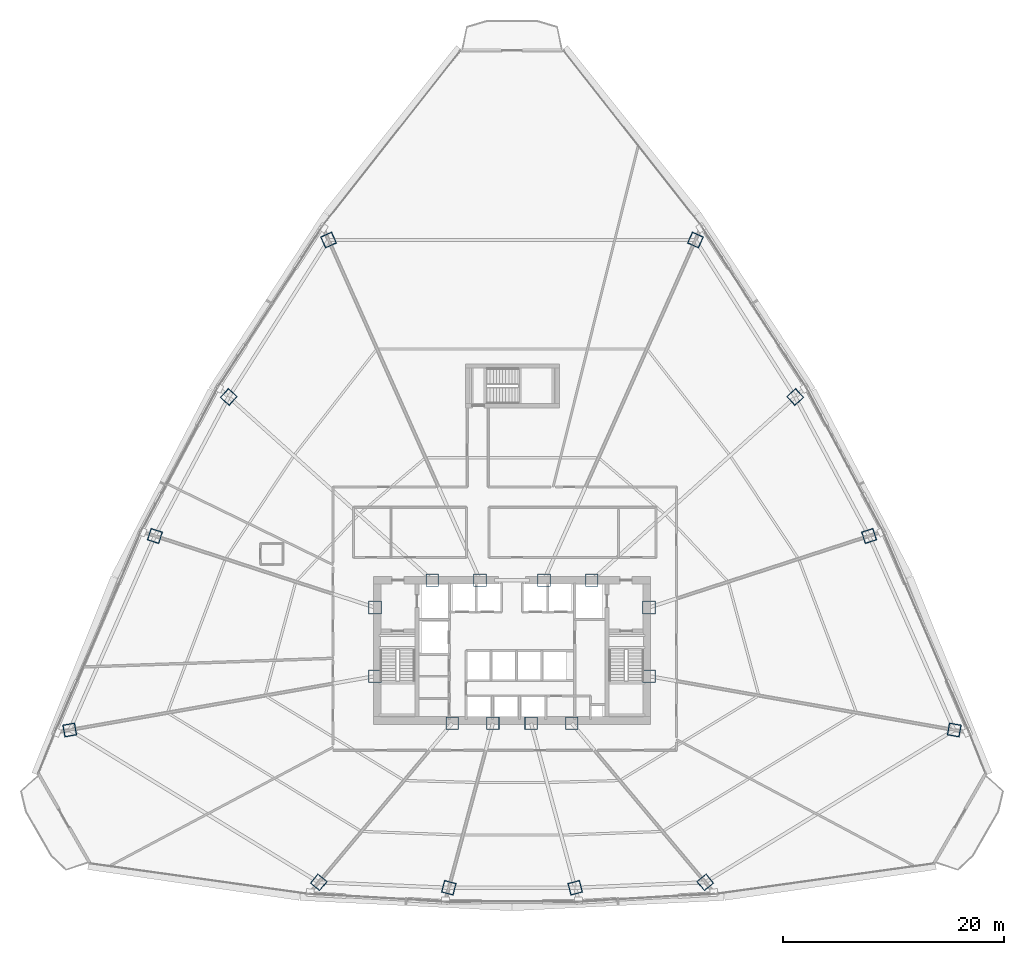
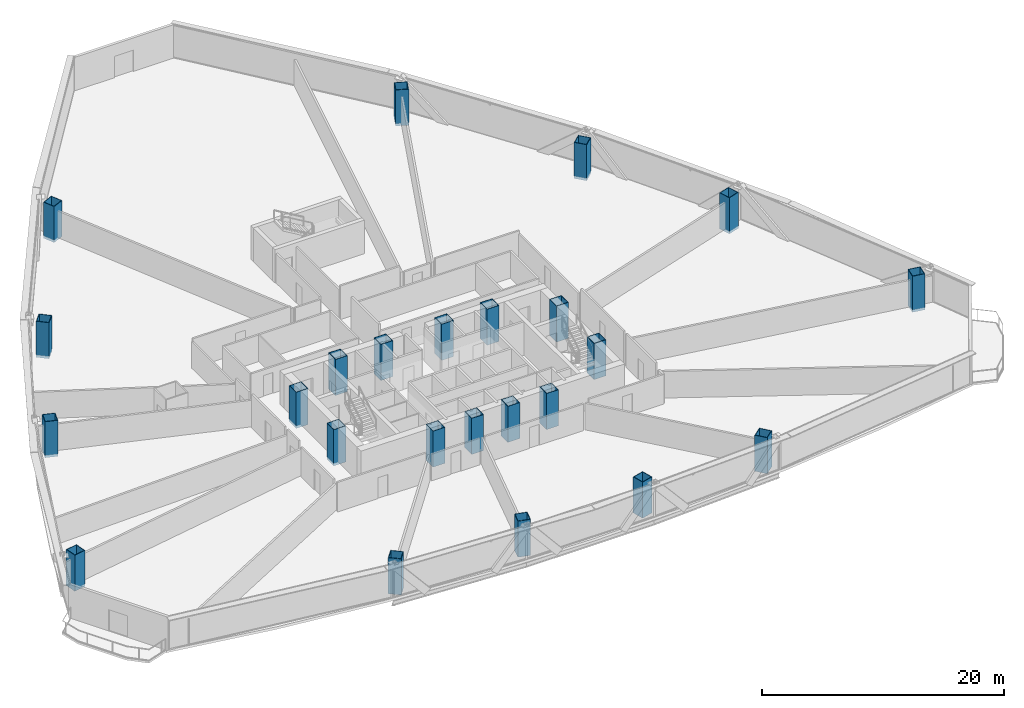
# One storey, part 1 of 37: 24 columns.
"""IFC4 building model written with IfcOpenShell, lengths in metres."""

from ifc_helpers import new_model, si_unit, direction, frame, origin, origin_2d, place, context, subcontext, project, spatial, hollow_rectangle, extrude, source, transform, mapped, material, material_profile, profile_set, type_object, element, save


model = new_model("IFC4")

# Units and contexts
model_context = context("Model", 3, precision=1e-05, world=origin(), true_north=direction((0.0, 1.0)))
body_context = subcontext(model_context, "Body", "Model", "MODEL_VIEW")
ifc_project = project(units=[si_unit("LENGTHUNIT", "METRE"), si_unit("AREAUNIT", "SQUARE_METRE"), si_unit("VOLUMEUNIT", "CUBIC_METRE"), si_unit("PLANEANGLEUNIT", "RADIAN"), si_unit("MASSUNIT", "GRAM", prefix="KILO"), si_unit("THERMODYNAMICTEMPERATUREUNIT", "KELVIN"), si_unit("POWERUNIT", "WATT")], contexts=[model_context])

# Site, building, storey
site_placement = place(None, origin())
site = spatial("IfcSite", under=ifc_project, at=site_placement, CompositionType="ELEMENT")
building_placement = place(site_placement, origin())
building = spatial("IfcBuilding", under=site, at=building_placement, Name="Yunzhuo Pagoda Commons", CompositionType="ELEMENT")
storey_placement = place(building_placement, frame((0.0, 0.0, 59.43994140625)))
storey = spatial("IfcBuildingStorey", under=building, at=storey_placement, Name="L15", CompositionType="ELEMENT", Elevation=59.43994140625)

# Columns
ifc_material = material(Name="Structural steel Q420B", Category="steel")
ifc_material_profile_1 = material_profile(ifc_material, hollow_rectangle(XDim=1.14990234375, YDim=1.14990234375, WallThickness=0.048095703125, at=origin_2d()), Name="Structural steel Q420B")
ifc_profile_set_1 = profile_set([ifc_material_profile_1], Name="Structural steel Q420B")
column_type_1 = type_object("IfcColumnType", Name="C-COR Column BOX 1150x1150x48", PredefinedType="COLUMN", material=ifc_profile_set_1)
shared_shape_1 = source(origin(), body_context, "Body", "SweptSolid", [
    extrude(hollow_rectangle(XDim=1.14990234375, YDim=1.14990234375, WallThickness=0.048095703125, at=origin_2d()), origin(), (0.0, 0.0, 1.0), 3.630126953125),
])
for number, where, z_axis, x_axis, name in (
    (1, (42.587890625, 27.25, -0.260009765625), (0.0, 0.0, 1.0), (1.0, 0.0, 0.0), "L15 core composite column F1C1"),
    (2, (46.27197265625, 27.25, -0.260009765625), (0.0, 0.0, 1.0), (1.0, 0.0, 0.0), "L15 core composite column F1C2"),
    (3, (49.728515625, 27.25, -0.260009765625), (0.0, 0.0, 1.0), (1.0, 0.0, 0.0), "L15 core composite column F1C3"),
    (4, (53.412109375, 27.25, -0.260009765625), (0.0, 0.0, 1.0), (1.0, 0.0, 0.0), "L15 core composite column F1C4"),
    (5, (60.39990234375, 31.513427734375, -0.260009765625), (0.0, 0.0, 1.0), (1.0, 0.0, 0.0), "L15 core composite column F2C1"),
    (6, (60.39990234375, 37.72900390625, -0.260009765625), (0.0, 0.0, 1.0), (1.0, 0.0, 0.0), "L15 core composite column F2C2"),
    (7, (55.218994140625, 40.199951171875, -0.260009765625), (0.0, 0.0, 1.0), (1.0, 0.0, 0.0), "L15 core composite column F2C3"),
    (8, (50.89404296875, 40.199951171875, -0.260009765625), (0.0, 0.0, 1.0), (1.0, 0.0, 0.0), "L15 core composite column F2C4"),
    (9, (45.10595703125, 40.199951171875, -0.260009765625), (0.0, 0.0, 1.0), (1.0, 0.0, 0.0), "L15 core composite column F3C1"),
    (10, (40.781005859375, 40.199951171875, -0.260009765625), (0.0, 0.0, 1.0), (1.0, 0.0, 0.0), "L15 core composite column F3C2"),
    (11, (35.60009765625, 37.72900390625, -0.260009765625), (0.0, 0.0, 1.0), (1.0, 0.0, 0.0), "L15 core composite column F3C3"),
    (12, (35.60009765625, 31.513427734375, -0.260009765625), (0.0, 0.0, 1.0), (1.0, 0.0, 0.0), "L15 core composite column F3C4"),
):
    element("IfcColumn", number, at=place(storey_placement, frame(where, z_axis=z_axis, x_axis=x_axis)), inside=storey, type_object=column_type_1, Name=name, PredefinedType="COLUMN", context=body_context, shape_type="MappedRepresentation", body=[
        mapped(shared_shape_1, transform((0.0, 0.0, 0.0), scale=1.0)),
    ])
ifc_material_profile_2 = material_profile(ifc_material, hollow_rectangle(XDim=1.10009765625, YDim=1.10009765625, WallThickness=0.044921875, at=origin_2d()), Name="Structural steel Q420B")
ifc_profile_set_2 = profile_set([ifc_material_profile_2], Name="Structural steel Q420B")
column_type_2 = type_object("IfcColumnType", Name="C-Z1 Column BOX 1100x1100x45", PredefinedType="COLUMN", material=ifc_profile_set_2)
shared_shape_2 = source(origin(), body_context, "Body", "SweptSolid", [
    extrude(hollow_rectangle(XDim=1.10009765625, YDim=1.10009765625, WallThickness=0.044921875, at=origin_2d()), origin(), (0.0, 0.0, 1.0), 3.630126953125),
])
for number, where, z_axis, x_axis, name in (
    (13, (30.5, 12.844482421875, -0.260009765625), (0.0, 0.0, 1.0), (0.766044443119, -0.642787609687, 0.0), "L15 tower column F1C1"),
    (14, (42.27978515625, 12.35205078125, -0.260009765625), (0.0, 0.0, 1.0), (0.965925826289, -0.258819045103, 0.0), "L15 tower column F1C2"),
    (15, (53.72021484375, 12.35205078125, -0.260009765625), (0.0, 0.0, 1.0), (0.965925826289, 0.258819045103, 0.0), "L15 tower column F1C3"),
    (16, (65.5, 12.844482421875, -0.260009765625), (0.0, 0.0, 1.0), (0.766044443119, 0.642787609687, 0.0), "L15 tower column F1C4"),
    (17, (88.047607421875, 26.638427734375, -0.260009765625), (0.0, 0.0, 1.0), (0.173648177667, 0.984807753012, 0.0), "L15 tower column F2C1"),
    (18, (80.33544921875, 44.206298828125, -0.260009765625), (0.0, 0.0, 1.0), (-0.309016994375, 0.951056516295, 0.0), "L15 tower column F2C2"),
    (19, (73.648681640625, 56.79443359375, -0.260009765625), (0.0, 0.0, 1.0), (-0.669130606359, 0.743144825477, 0.0), "L15 tower column F2C3"),
    (20, (64.61083984375, 71.008544921875, -0.260009765625), (0.0, 0.0, 1.0), (-0.913545457643, 0.406736643076, 0.0), "L15 tower column F2C4"),
    (21, (31.38916015625, 71.008544921875, -0.260009765625), (0.0, 0.0, 1.0), (-0.913545457643, -0.406736643076, 0.0), "L15 tower column F3C1"),
    (22, (22.351318359375, 56.79443359375, -0.260009765625), (0.0, 0.0, 1.0), (-0.669130606359, -0.743144825477, 0.0), "L15 tower column F3C2"),
    (23, (15.66455078125, 44.206298828125, -0.260009765625), (0.0, 0.0, 1.0), (-0.309016994375, -0.951056516295, 0.0), "L15 tower column F3C3"),
    (24, (7.952392578125, 26.638427734375, -0.260009765625), (0.0, 0.0, 1.0), (0.173648177667, -0.984807753012, 0.0), "L15 tower column F3C4"),
):
    element("IfcColumn", number, at=place(storey_placement, frame(where, z_axis=z_axis, x_axis=x_axis)), inside=storey, type_object=column_type_2, Name=name, PredefinedType="COLUMN", context=body_context, shape_type="MappedRepresentation", body=[
        mapped(shared_shape_2, transform((0.0, 0.0, 0.0), scale=1.0)),
    ])

save(model, "model.ifc")
